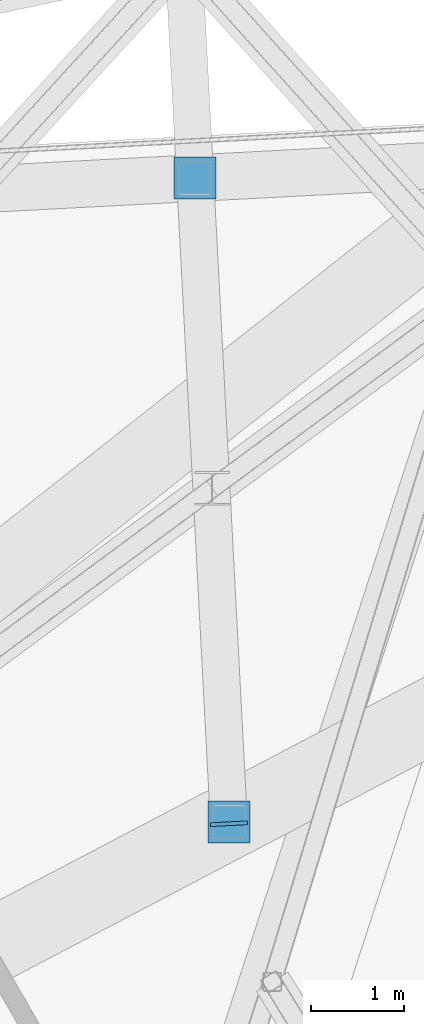
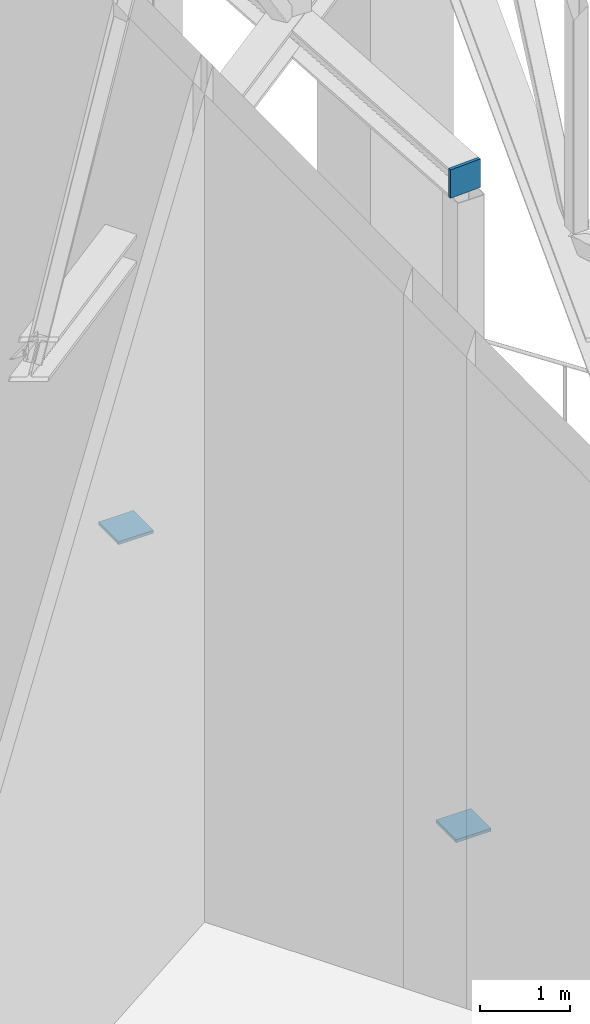
# One storey, part 19 of 23: 3 discrete accessories.
"""IFC4 building model written with IfcOpenShell, lengths in metres."""

from ifc_helpers import new_model, si_unit, direction, frame, origin, origin_2d, place, context, subcontext, project, spatial, rectangle, extrude, material, layer, layer_set, type_object, element, save


model = new_model("IFC4")

# Units and contexts
model_context = context("Model", 3, precision=1e-05, world=origin(), true_north=direction((0.0, 1.0)))
body_context = subcontext(model_context, "Body", "Model", "MODEL_VIEW")
ifc_project = project(units=[si_unit("LENGTHUNIT", "METRE"), si_unit("AREAUNIT", "SQUARE_METRE"), si_unit("VOLUMEUNIT", "CUBIC_METRE"), si_unit("PLANEANGLEUNIT", "RADIAN"), si_unit("MASSUNIT", "GRAM", prefix="KILO")], contexts=[model_context])

# Site, building, storey
site_placement = place(None, origin())
site = spatial("IfcSite", under=ifc_project, at=site_placement, CompositionType="ELEMENT")
building_placement = place(site_placement, origin())
building = spatial("IfcBuilding", under=site, at=building_placement, Name="Tramontana Tower", CompositionType="ELEMENT")
storey_placement = place(building_placement, frame((0.0, 0.0, 306.39990234375)))
storey = spatial("IfcBuildingStorey", under=building, at=storey_placement, Name="L72", CompositionType="ELEMENT", Elevation=306.39990234375)

# Discrete accessories
ifc_material_1 = material(Name="Steel ASTM A572 Grade 50", Category="steel")
ifc_layer_1 = layer(ifc_material_1, 0.0400390625)
ifc_layer_set_1 = layer_set([ifc_layer_1], Name="Base plate 450X450X40")
discrete_accessory_type_1 = type_object("IfcDiscreteAccessoryType", Name="Base plate 450X450X40", PredefinedType="ANCHORPLATE", material=ifc_layer_set_1)
for number, where, z_axis, x_axis, name in (
    (1, (16.9130859375, 15.95703125, 0.0), (0.0, 0.0, 1.0), (1.0, 0.0, 0.0), "Transfer truss post base plate C8K5.1"),
    (2, (17.2744140625, 9.0625, 0.0), (0.0, 0.0, 1.0), (1.0, 0.0, 0.0), "Transfer truss post base plate C8K5.2"),
):
    element("IfcDiscreteAccessory", number, at=place(storey_placement, frame(where, z_axis=z_axis, x_axis=x_axis)), inside=storey, type_object=discrete_accessory_type_1, Name=name, PredefinedType="ANCHORPLATE", context=body_context, shape_type="SweptSolid", body=[
        extrude(rectangle(XDim=0.449951171875, YDim=0.449951171875, at=origin_2d()), origin(), (0.0, 0.0, 1.0), 0.0400390625),
    ])
ifc_material_2 = material(Name="Steel ASTM A572 Grade 50", Category="steel")
ifc_layer_2 = layer(ifc_material_2, 0.0400390625)
ifc_layer_set_2 = layer_set([ifc_layer_2], Name="End plate 397X387X40")
discrete_accessory_type_2 = type_object("IfcDiscreteAccessoryType", Name="End plate 397X387X40", PredefinedType="ANCHORPLATE", material=ifc_layer_set_2)
discrete_accessory_placement = place(storey_placement, frame((17.275390625, 9.04248046875, 8.64990234375), z_axis=(0.0, 0.0, 1.0), x_axis=(-0.998629534755, -0.052335956243, 0.0)))
element("IfcDiscreteAccessory", 3, at=discrete_accessory_placement, inside=storey, type_object=discrete_accessory_type_2, Name="Transfer truss girder end plate C8K5.2", PredefinedType="ANCHORPLATE", context=body_context, shape_type="SweptSolid", body=[
    extrude(rectangle(XDim=0.39697265625, YDim=0.0400390625, at=origin_2d()), origin(), (0.0, 0.0, 1.0), 0.387451171875),
])

save(model, "model.ifc")
